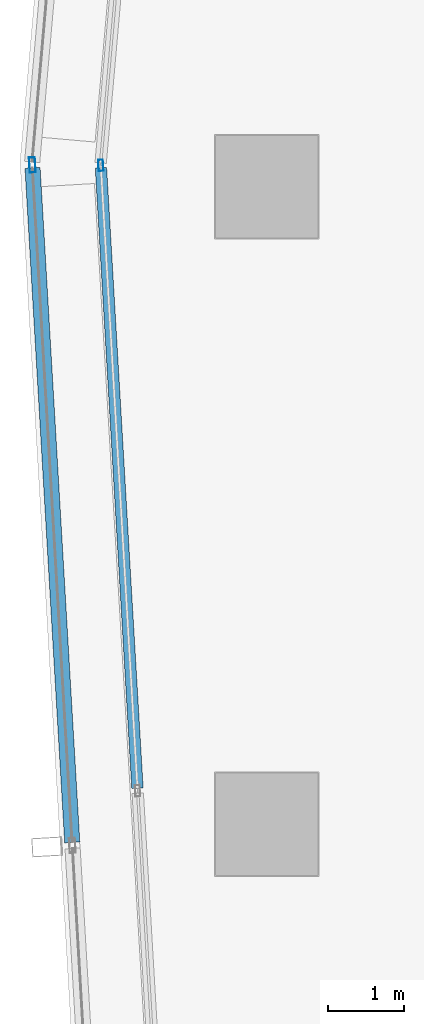
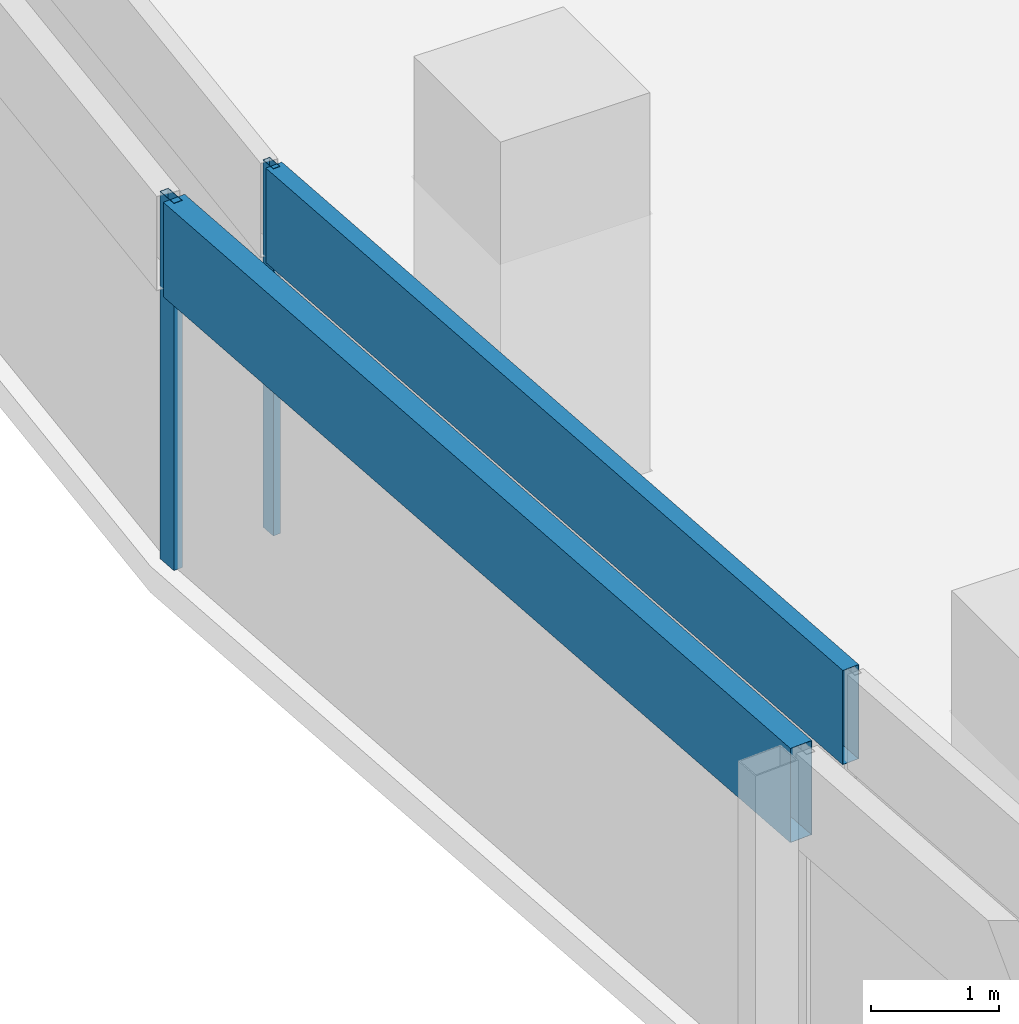
# One storey, part 9 of 40: 4 members, 2 elements without a shape of their own.
"""IFC4 building model written with IfcOpenShell, lengths in metres."""

from ifc_helpers import new_model, si_unit, direction, frame, origin, origin_2d, place, context, subcontext, project, spatial, hollow_rectangle, extrude, material, material_profile, profile_set, type_object, element, aggregate, save


model = new_model("IFC4")

# Units and contexts
model_context = context("Model", 3, precision=1e-05, world=origin(), true_north=direction((0.0, 1.0)))
body_context = subcontext(model_context, "Body", "Model", "MODEL_VIEW")
ifc_project = project(units=[si_unit("LENGTHUNIT", "METRE"), si_unit("AREAUNIT", "SQUARE_METRE"), si_unit("VOLUMEUNIT", "CUBIC_METRE"), si_unit("PLANEANGLEUNIT", "RADIAN"), si_unit("MASSUNIT", "GRAM", prefix="KILO")], contexts=[model_context])

# Site, building, storey
site_placement = place(None, origin())
site = spatial("IfcSite", under=ifc_project, at=site_placement, CompositionType="ELEMENT")
building_placement = place(site_placement, origin())
building = spatial("IfcBuilding", under=site, at=building_placement, Name="Rekha Terrace Tower", CompositionType="ELEMENT")
storey_placement = place(building_placement, frame((0.0, 0.0, 213.949951171875)))
storey = spatial("IfcBuildingStorey", under=building, at=storey_placement, Name="L54", CompositionType="ELEMENT", Elevation=213.949951171875)

# Curtain wall, members
ifc_material_1 = material(Name="Aluminium framing", Category="aluminium")
curtain_wall_type_1 = type_object("IfcCurtainWallType", Name="CW1 double skin inner glazing", PredefinedType="USERDEFINED", material=ifc_material_1)
curtain_wall_1_placement = place(storey_placement, origin())
curtain_wall_1 = element("IfcCurtainWall", 1, at=curtain_wall_1_placement, inside=storey, type_object=curtain_wall_type_1, Name="CW1 double skin inner glazing", ObjectType="DOUBLE SKIN INNER GLAZING", PredefinedType="USERDEFINED")
ifc_material_2 = material(Name="Aluminium mullion section", Category="aluminium")
ifc_material_profile_1 = material_profile(ifc_material_2, hollow_rectangle(XDim=0.06494140625, YDim=0.14990234375, WallThickness=0.00390625, at=origin_2d()), Name="AL RHS 65x150")
ifc_profile_set_1 = profile_set([ifc_material_profile_1], Name="Aluminium mullion section")
member_type_1 = type_object("IfcMemberType", Name="CW1 mullion RHS 65 x 150", PredefinedType="MULLION", material=ifc_profile_set_1)
member_1_placement = place(storey_placement, frame((6.214599609375, 42.281982421875, 0.0), z_axis=(0.0, 0.0, 1.0), x_axis=(0.998271839269, 0.058765082516, 0.0)))
member_1 = element("IfcMember", 2, at=member_1_placement, type_object=member_type_1, Name="CW1 mullion 1", PredefinedType="MULLION", context=body_context, shape_type="SweptSolid", body=[
    extrude(hollow_rectangle(XDim=0.06494140625, YDim=0.14990234375, WallThickness=0.00390625, at=origin_2d()), origin(), (0.0, 0.0, 1.0), 3.5),
])
ifc_material_3 = material(Name="Insulated aluminium spandrel box", Category="aluminium")
ifc_material_profile_2 = material_profile(ifc_material_3, hollow_rectangle(XDim=0.14990234375, YDim=0.89990234375, WallThickness=0.0029296875, at=origin_2d()), Name="AL SPANDREL BOX 150x900")
ifc_profile_set_2 = profile_set([ifc_material_profile_2], Name="Insulated aluminium spandrel box")
member_type_2 = type_object("IfcMemberType", Name="CW1 spandrel transom 150 x 900", PredefinedType="USERDEFINED", material=ifc_profile_set_2)
member_2_placement = place(storey_placement, frame((6.216552734375, 42.24951171875, 3.050048828125), z_axis=(0.058777934282, -0.998271082643, 0.0), x_axis=(0.998271082643, 0.058777934282, 0.0)))
member_2 = element("IfcMember", 3, at=member_2_placement, type_object=member_type_2, Name="CW1 spandrel transom 1", ObjectType="TRANSOM", PredefinedType="USERDEFINED", context=body_context, shape_type="SweptSolid", body=[
    extrude(hollow_rectangle(XDim=0.14990234375, YDim=0.89990234375, WallThickness=0.0029296875, at=origin_2d()), origin(), (0.0, 0.0, 1.0), 8.19091796875),
])
aggregate(curtain_wall_1, [member_1, member_2])

curtain_wall_type_2 = type_object("IfcCurtainWallType", Name="CW2 double skin outer glazing", PredefinedType="USERDEFINED", material=ifc_material_1)
curtain_wall_2_placement = place(storey_placement, origin())
curtain_wall_2 = element("IfcCurtainWall", 4, at=curtain_wall_2_placement, inside=storey, type_object=curtain_wall_type_2, Name="CW2 double skin outer glazing", ObjectType="DOUBLE SKIN OUTER GLAZING", PredefinedType="USERDEFINED")
ifc_material_profile_3 = material_profile(ifc_material_2, hollow_rectangle(XDim=0.080078125, YDim=0.199951171875, WallThickness=0.00390625, at=origin_2d()), Name="AL RHS 80x200")
ifc_profile_set_3 = profile_set([ifc_material_profile_3], Name="Aluminium mullion section")
member_type_3 = type_object("IfcMemberType", Name="CW2 mullion RHS 80 x 200", PredefinedType="MULLION", material=ifc_profile_set_3)
member_3_placement = place(storey_placement, frame((5.312744140625, 42.287841796875, 0.0), z_axis=(0.0, 0.0, 1.0), x_axis=(0.99827183927, 0.058765082499, 0.0)))
member_3 = element("IfcMember", 5, at=member_3_placement, type_object=member_type_3, Name="CW2 mullion 1", PredefinedType="MULLION", context=body_context, shape_type="SweptSolid", body=[
    extrude(hollow_rectangle(XDim=0.080078125, YDim=0.199951171875, WallThickness=0.00390625, at=origin_2d()), origin(), (0.0, 0.0, 1.0), 3.5),
])
ifc_material_profile_4 = material_profile(ifc_material_3, hollow_rectangle(XDim=0.199951171875, YDim=0.89990234375, WallThickness=0.0029296875, at=origin_2d()), Name="AL SPANDREL BOX 200x900")
ifc_profile_set_4 = profile_set([ifc_material_profile_4], Name="Insulated aluminium spandrel box")
member_type_4 = type_object("IfcMemberType", Name="CW2 spandrel transom 200 x 900", PredefinedType="USERDEFINED", material=ifc_profile_set_4)
member_4_placement = place(storey_placement, frame((5.315185546875, 42.247802734375, 3.050048828125), z_axis=(0.058762207171, -0.998272008527, 0.0), x_axis=(0.998272008527, 0.058762207171, 0.0)))
member_4 = element("IfcMember", 6, at=member_4_placement, type_object=member_type_4, Name="CW2 spandrel transom 1", ObjectType="TRANSOM", PredefinedType="USERDEFINED", context=body_context, shape_type="SweptSolid", body=[
    extrude(hollow_rectangle(XDim=0.199951171875, YDim=0.89990234375, WallThickness=0.0029296875, at=origin_2d()), origin(), (0.0, 0.0, 1.0), 8.903564453125),
])
aggregate(curtain_wall_2, [member_3, member_4])

save(model, "model.ifc")
